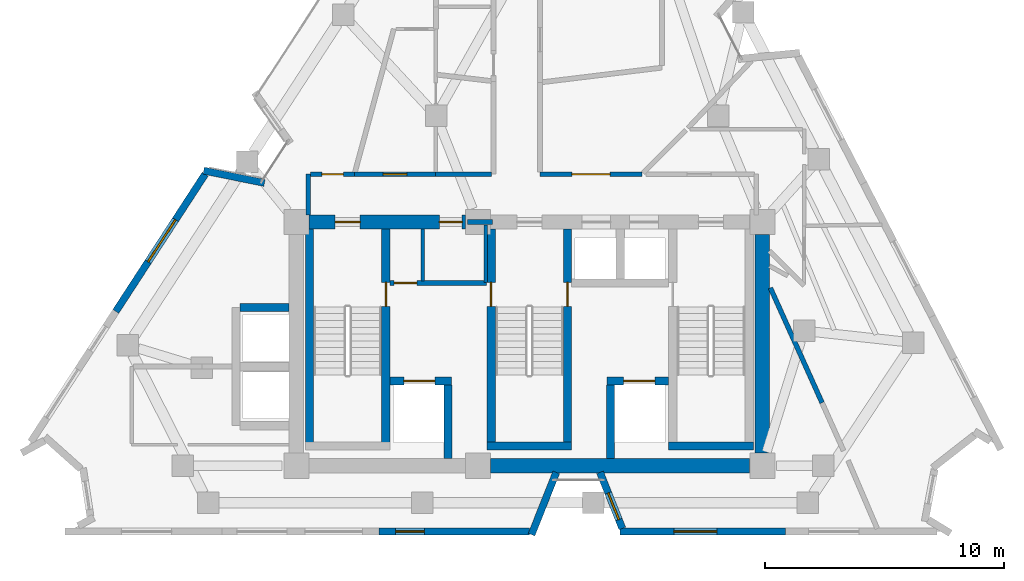
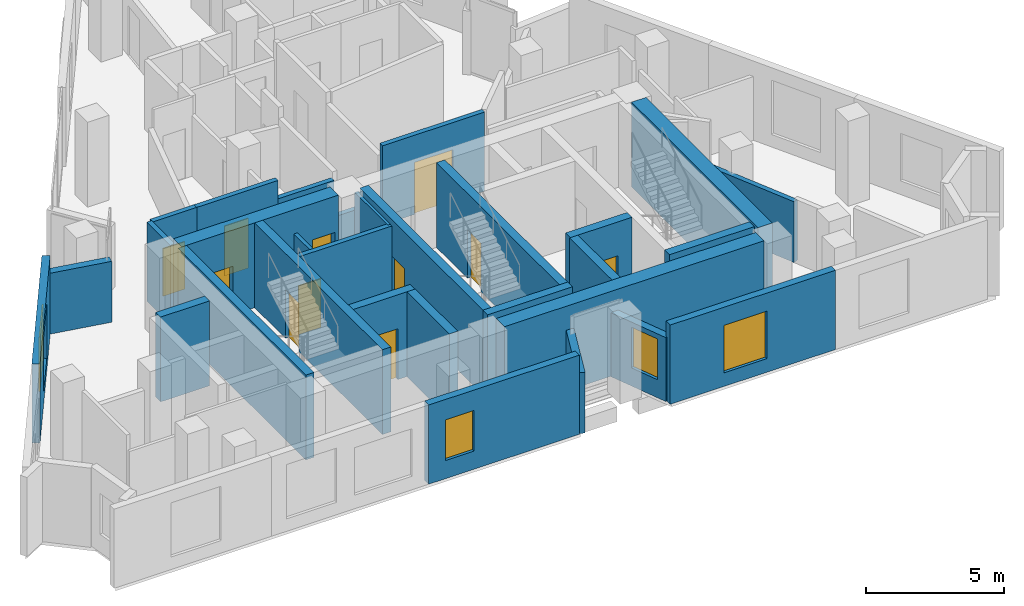
# One storey, part 5 of 9: 30 walls, 11 doors, 4 windows, 15 openings.
"""IFC4 building model written with IfcOpenShell, lengths in metres."""

from ifc_helpers import new_model, si_unit, direction, frame, frame_2d, origin, place, context, subcontext, project, spatial, rectangle, extrude, material, layer, layer_set, type_object, element, fill, save


model = new_model("IFC4")

# Units and contexts
model_context = context("Model", 3, precision=1e-05, world=origin(), true_north=direction((0.0, 1.0)))
body_context = subcontext(model_context, "Body", "Model", "MODEL_VIEW")
ifc_project = project(units=[si_unit("LENGTHUNIT", "METRE"), si_unit("AREAUNIT", "SQUARE_METRE"), si_unit("VOLUMEUNIT", "CUBIC_METRE"), si_unit("PLANEANGLEUNIT", "RADIAN"), si_unit("MASSUNIT", "GRAM", prefix="KILO")], contexts=[model_context])

# Site, building, storey
site_placement = place(None, origin())
site = spatial("IfcSite", under=ifc_project, at=site_placement, CompositionType="ELEMENT")
building_placement = place(site_placement, origin())
building = spatial("IfcBuilding", under=site, at=building_placement, Name="Almagre Mirador Tower", CompositionType="ELEMENT")
storey_placement = place(building_placement, frame((0.0, 0.0, 207.0)))
storey = spatial("IfcBuildingStorey", under=building, at=storey_placement, Name="L53", CompositionType="ELEMENT", Elevation=207.0)

# Wall
ifc_material_1 = material(Name="Precast concrete C50/60", Category="concrete")
ifc_layer_1 = layer(ifc_material_1, 0.300048828125)
ifc_layer_set_1 = layer_set([ifc_layer_1], Name="Precast concrete C50/60")
wall_type_1 = type_object("IfcWallType", Name="WAL-EXT-300", PredefinedType="SOLIDWALL", material=ifc_layer_set_1)
wall_1_placement = place(storey_placement, frame((23.67578125, 16.899658203125, 0.0), z_axis=(0.0, 0.0, 1.0), x_axis=(0.980377387813, -0.197129849249, 0.0)))
element("IfcWall", 1, at=wall_1_placement, inside=storey, type_object=wall_type_1, Name="L53 expressed almagre precast frame wall 01", PredefinedType="SOLIDWALL", context=body_context, shape_type="SweptSolid", body=[
    extrude(rectangle(XDim=2.59326171875, YDim=0.300048828125, at=frame_2d((1.296630859375, 0.0))), origin(), (0.0, 0.0, 1.0), 2.68994140625),
])

# Wall, opening, window
wall_2_placement = place(storey_placement, frame((48.02197265625, 1.800048828125, 0.0), z_axis=(0.0, 0.0, 1.0), x_axis=(-1.0, 0.0, 0.0)))
wall_2 = element("IfcWall", 2, at=wall_2_placement, inside=storey, type_object=wall_type_1, Name="L53 expressed almagre precast frame wall 21", PredefinedType="SOLIDWALL", context=body_context, shape_type="SweptSolid", body=[
    extrude(rectangle(XDim=6.91796875, YDim=0.300048828125, at=frame_2d((3.458984375, 0.0))), origin(), (0.0, 0.0, 1.0), 3.5),
])
opening_1_placement = place(wall_2_placement, frame((2.875, 0.0, 0.60009765625)))
opening_1 = element("IfcOpeningElement", 3, at=opening_1_placement, cuts=wall_2, Name="Opening WN-01", PredefinedType="OPENING", context=body_context, shape_type="SweptSolid", body=[
    extrude(rectangle(XDim=1.800048828125, YDim=2.10009765625, at=frame_2d((0.89990234375, 1.050048828125))), frame((0.0, 0.159902, 0.0), z_axis=(0.0, -1.0, 0.0), x_axis=(1.0, 0.0, 0.0)), (0.0, 0.0, 1.0), 0.320049),
])
ifc_material_2 = material(Name="Dark solar-control laminated hurricane glass", Category="glass")
window_type_1 = type_object("IfcWindowType", Name="WIN-1800X2100", PartitioningType="DOUBLE_PANEL_VERTICAL", PredefinedType="WINDOW", material=ifc_material_2)
window_1_placement = place(opening_1_placement, origin())
window_1 = element("IfcWindow", 4, at=window_1_placement, inside=storey, type_object=window_type_1, Name="L53 recessed hurricane window L53-UB-KT", OverallHeight=2.10009765625, OverallWidth=1.800048828125, PartitioningType="SINGLE_PANEL", PredefinedType="WINDOW", context=body_context, shape_type="SweptSolid", body=[
    extrude(rectangle(XDim=1.800048828125, YDim=2.10009765625, at=frame_2d((0.89990234375, 1.050048828125))), frame((0.0, 0.030029296875, 0.0), z_axis=(0.0, -1.0, 0.0), x_axis=(1.0, 0.0, 0.0)), (0.0, 0.0, 1.0), 0.06005859375),
])
fill(opening_1, window_1)

wall_3_placement = place(storey_placement, frame((41.194091796875, 1.92529296875, 0.0), z_axis=(0.0, 0.0, 1.0), x_axis=(-0.369457562636, 0.929247603931, 0.0)))
wall_3 = element("IfcWall", 5, at=wall_3_placement, inside=storey, type_object=wall_type_1, Name="L53 expressed almagre precast frame wall 22", PredefinedType="SOLIDWALL", context=body_context, shape_type="SweptSolid", body=[
    extrude(rectangle(XDim=2.52685546875, YDim=0.300048828125, at=frame_2d((1.263427734375, 0.0))), origin(), (0.0, 0.0, 1.0), 2.824951171875),
])
opening_2_placement = place(wall_3_placement, frame((0.39990234375, 0.0, 0.800048828125)))
opening_2 = element("IfcOpeningElement", 6, at=opening_2_placement, cuts=wall_3, Name="Opening WN-04", PredefinedType="OPENING", context=body_context, shape_type="SweptSolid", body=[
    extrude(rectangle(XDim=1.199951171875, YDim=1.800048828125, at=frame_2d((0.60009765625, 0.89990234375))), frame((0.0, 0.159902, 0.0), z_axis=(0.0, -1.0, 0.0), x_axis=(1.0, 0.0, 0.0)), (0.0, 0.0, 1.0), 0.320049),
])
ifc_material_3 = material(Name="Dark solar-control laminated hurricane glass", Category="glass")
window_type_2 = type_object("IfcWindowType", Name="WIN-1200X1800", PartitioningType="SINGLE_PANEL", PredefinedType="WINDOW", material=ifc_material_3)
window_2_placement = place(opening_2_placement, origin())
window_2 = element("IfcWindow", 7, at=window_2_placement, inside=storey, type_object=window_type_2, Name="L53 recessed hurricane window L53-UB-KT", OverallHeight=1.800048828125, OverallWidth=1.199951171875, PartitioningType="SINGLE_PANEL", PredefinedType="WINDOW", context=body_context, shape_type="SweptSolid", body=[
    extrude(rectangle(XDim=1.199951171875, YDim=1.800048828125, at=frame_2d((0.60009765625, 0.89990234375))), frame((0.0, 0.030029296875, 0.0), z_axis=(0.0, -1.0, 0.0), x_axis=(1.0, 0.0, 0.0)), (0.0, 0.0, 1.0), 0.06005859375),
])
fill(opening_2, window_2)

# Wall
wall_4_placement = place(storey_placement, frame((38.427490234375, 4.2734375, 0.0), z_axis=(0.0, 0.0, 1.0), x_axis=(-0.369466825356, -0.929243921132, 0.0)))
element("IfcWall", 8, at=wall_4_placement, inside=storey, type_object=wall_type_1, Name="L53 expressed almagre precast frame wall 23", PredefinedType="SOLIDWALL", context=body_context, shape_type="SweptSolid", body=[
    extrude(rectangle(XDim=2.8017578125, YDim=0.300048828125, at=frame_2d((1.40087890625, 0.0))), origin(), (0.0, 0.0, 1.0), 2.68994140625),
])

# Wall, opening, window
wall_5_placement = place(storey_placement, frame((37.30908203125, 1.800048828125, 0.0), z_axis=(0.0, 0.0, 1.0), x_axis=(-1.0, 0.0, 0.0)))
wall_5 = element("IfcWall", 9, at=wall_5_placement, inside=storey, type_object=wall_type_1, Name="L53 expressed almagre precast frame wall 24", PredefinedType="SOLIDWALL", context=body_context, shape_type="SweptSolid", body=[
    extrude(rectangle(XDim=6.2998046875, YDim=0.300048828125, at=frame_2d((3.14990234375, 0.0))), origin(), (0.0, 0.0, 1.0), 3.5),
])
opening_3_placement = place(wall_5_placement, frame((4.39990234375, 0.0, 0.800048828125)))
opening_3 = element("IfcOpeningElement", 10, at=opening_3_placement, cuts=wall_5, Name="Opening WN-04", PredefinedType="OPENING", context=body_context, shape_type="SweptSolid", body=[
    extrude(rectangle(XDim=1.199951171875, YDim=1.800048828125, at=frame_2d((0.60009765625, 0.89990234375))), frame((0.0, 0.159902, 0.0), z_axis=(0.0, -1.0, 0.0), x_axis=(1.0, 0.0, 0.0)), (0.0, 0.0, 1.0), 0.320049),
])
window_3_placement = place(opening_3_placement, origin())
window_3 = element("IfcWindow", 11, at=window_3_placement, inside=storey, type_object=window_type_2, Name="L53 recessed hurricane window L53-UA-MB", OverallHeight=1.800048828125, OverallWidth=1.199951171875, PartitioningType="SINGLE_PANEL", PredefinedType="WINDOW", context=body_context, shape_type="SweptSolid", body=[
    extrude(rectangle(XDim=1.199951171875, YDim=1.800048828125, at=frame_2d((0.60009765625, 0.89990234375))), frame((0.0, 0.030029296875, 0.0), z_axis=(0.0, -1.0, 0.0), x_axis=(1.0, 0.0, 0.0)), (0.0, 0.0, 1.0), 0.06005859375),
])
fill(opening_3, window_3)

wall_6_placement = place(storey_placement, frame((19.99755859375, 11.011962890625, 0.0), z_axis=(0.0, 0.0, 1.0), x_axis=(0.545631860444, 0.838024983439, 0.0)))
wall_6 = element("IfcWall", 12, at=wall_6_placement, inside=storey, type_object=wall_type_1, Name="L53 expressed almagre precast frame wall 32", PredefinedType="SOLIDWALL", context=body_context, shape_type="SweptSolid", body=[
    extrude(rectangle(XDim=6.8525390625, YDim=0.300048828125, at=frame_2d((3.42626953125, 0.0))), origin(), (0.0, 0.0, 1.0), 3.5),
])
opening_4_placement = place(wall_6_placement, frame((2.47509765625, 0.0, 0.550048828125)))
opening_4 = element("IfcOpeningElement", 13, at=opening_4_placement, cuts=wall_6, Name="Opening WN-05", PredefinedType="OPENING", context=body_context, shape_type="SweptSolid", body=[
    extrude(rectangle(XDim=2.10009765625, YDim=2.39990234375, at=frame_2d((1.050048828125, 1.199951171875))), frame((0.0, 0.159902, 0.0), z_axis=(0.0, -1.0, 0.0), x_axis=(1.0, 0.0, 0.0)), (0.0, 0.0, 1.0), 0.320049),
])
ifc_material_4 = material(Name="Dark solar-control laminated hurricane glass", Category="glass")
window_type_3 = type_object("IfcWindowType", Name="WIN-2100X2400", PartitioningType="DOUBLE_PANEL_VERTICAL", PredefinedType="WINDOW", material=ifc_material_4)
window_4_placement = place(opening_4_placement, origin())
window_4 = element("IfcWindow", 14, at=window_4_placement, inside=storey, type_object=window_type_3, Name="L53 recessed hurricane window L53-UD-ST", OverallHeight=2.39990234375, OverallWidth=2.10009765625, PartitioningType="SINGLE_PANEL", PredefinedType="WINDOW", context=body_context, shape_type="SweptSolid", body=[
    extrude(rectangle(XDim=2.10009765625, YDim=2.39990234375, at=frame_2d((1.050048828125, 1.199951171875))), frame((0.0, 0.030029296875, 0.0), z_axis=(0.0, -1.0, 0.0), x_axis=(1.0, 0.0, 0.0)), (0.0, 0.0, 1.0), 0.06005859375),
])
fill(opening_4, window_4)

# Wall
ifc_material_5 = material(Name="Gypsum acoustic stud partition", Category="other")
ifc_layer_2 = layer(ifc_material_5, 0.199951171875)
ifc_layer_set_2 = layer_set([ifc_layer_2], Name="Gypsum acoustic stud partition")
wall_type_2 = type_object("IfcWallType", Name="WAL-PRT-200-EI60", PredefinedType="PARTITIONING", material=ifc_layer_set_2)
wall_7_placement = place(storey_placement, frame((34.719970703125, 14.75, 0.0), z_axis=(0.0, 0.0, 1.0), x_axis=(1.0, 0.0, 0.0)))
element("IfcWall", 15, at=wall_7_placement, inside=storey, type_object=wall_type_2, Name="L53 core north closure wall", PredefinedType="PARTITIONING", context=body_context, shape_type="SweptSolid", body=[
    extrude(rectangle(XDim=1.030029296875, YDim=0.199951171875, at=frame_2d((0.51513671875, 0.0))), origin(), (0.0, 0.0, 1.0), 2.68505859375),
])

# Wall, opening, door
wall_8_placement = place(storey_placement, frame((31.47998046875, 12.199951171875, 0.0), z_axis=(0.0, 0.0, 1.0), x_axis=(1.0, 0.0, 0.0)))
wall_8 = element("IfcWall", 16, at=wall_8_placement, inside=storey, type_object=wall_type_2, Name="L53 FFL-1 north enclosure wall", PredefinedType="PARTITIONING", context=body_context, shape_type="SweptSolid", body=[
    extrude(rectangle(XDim=4.024658203125, YDim=0.199951171875, at=frame_2d((2.01220703125, 0.0))), origin(), (0.0, 0.0, 1.0), 3.5),
])
opening_5_placement = place(wall_8_placement, frame((0.1650390625, 0.0, 0.0)))
opening_5 = element("IfcOpeningElement", 17, at=opening_5_placement, cuts=wall_8, Name="Opening ID-02", PredefinedType="OPENING", context=body_context, shape_type="SweptSolid", body=[
    extrude(rectangle(XDim=0.949951171875, YDim=2.14990234375, at=frame_2d((0.47509765625, 1.074951171875))), frame((0.0, 0.110098, 0.0), z_axis=(0.0, -1.0, 0.0), x_axis=(1.0, 0.0, 0.0)), (0.0, 0.0, 1.0), 0.219951),
])
ifc_material_6 = material(Name="Fire-rated walnut timber", Category="wood")
door_type_1 = type_object("IfcDoorType", Name="DOR-FD60-950X2150", OperationType="NOTDEFINED", PredefinedType="DOOR", material=ifc_material_6)
door_1_placement = place(opening_5_placement, origin())
door_1 = element("IfcDoor", 18, at=door_1_placement, inside=storey, type_object=door_type_1, Name="DR-1641 L53 FFL-1 north smoke door", OperationType="SINGLE_SWING_LEFT", OverallHeight=2.14990234375, OverallWidth=0.949951171875, PredefinedType="DOOR", context=body_context, shape_type="SweptSolid", body=[
    extrude(rectangle(XDim=0.949951171875, YDim=2.14990234375, at=frame_2d((0.47509765625, 1.074951171875))), frame((0.0, 0.02490234375, 0.0), z_axis=(0.0, -1.0, 0.0), x_axis=(1.0, 0.0, 0.0)), (0.0, 0.0, 1.0), 0.050048828125),
])
fill(opening_5, door_1)

# Walls
wall_9_placement = place(storey_placement, frame((32.840087890625, 12.284912109375, 0.0), z_axis=(0.0, 0.0, 1.0), x_axis=(0.0, 1.0, 0.0)))
element("IfcWall", 19, at=wall_9_placement, inside=storey, type_object=wall_type_2, Name="L53 core riser west wall", PredefinedType="PARTITIONING", context=body_context, shape_type="SweptSolid", body=[
    extrude(rectangle(XDim=2.18017578125, YDim=0.14990234375, at=frame_2d((1.090087890625, 0.0))), origin(), (0.0, 0.0, 1.0), 2.68505859375),
])
wall_10_placement = place(storey_placement, frame((35.47998046875, 12.219970703125, 0.0), z_axis=(0.0, 0.0, 1.0), x_axis=(0.0, 1.0, 0.0)))
element("IfcWall", 20, at=wall_10_placement, inside=storey, type_object=wall_type_2, Name="L53 core riser east wall", PredefinedType="PARTITIONING", context=body_context, shape_type="SweptSolid", body=[
    extrude(rectangle(XDim=2.396240234375, YDim=0.14990234375, at=frame_2d((1.1982421875, 0.0))), origin(), (0.0, 0.0, 1.0), 3.5),
])
wall_11_placement = place(storey_placement, frame((28.050048828125, 16.75, 0.0), z_axis=(0.0, 0.0, 1.0), x_axis=(0.0, -1.0, 0.0)))
element("IfcWall", 21, at=wall_11_placement, inside=storey, type_object=wall_type_2, Name="L53 interior partition 001", PredefinedType="PARTITIONING", context=body_context, shape_type="SweptSolid", body=[
    extrude(rectangle(XDim=1.699951171875, YDim=0.199951171875, at=frame_2d((0.85009765625, 0.0))), origin(), (0.0, 0.0, 1.0), 3.5),
])

# Wall, opening, door
wall_12_placement = place(storey_placement, frame((29.97998046875, 16.75, 0.0), z_axis=(0.0, 0.0, 1.0), x_axis=(-1.0, 0.0, 0.0)))
wall_12 = element("IfcWall", 22, at=wall_12_placement, inside=storey, type_object=wall_type_2, Name="L53 interior partition 004", PredefinedType="PARTITIONING", context=body_context, shape_type="SweptSolid", body=[
    extrude(rectangle(XDim=1.844970703125, YDim=0.199951171875, at=frame_2d((0.92236328125, 0.0))), origin(), (0.0, 0.0, 1.0), 3.5),
])
opening_6_placement = place(wall_12_placement, frame((0.46142578125, 0.0, 0.0)))
opening_6 = element("IfcOpeningElement", 23, at=opening_6_placement, cuts=wall_12, Name="Opening ID-03", PredefinedType="OPENING", context=body_context, shape_type="SweptSolid", body=[
    extrude(rectangle(XDim=0.89990234375, YDim=2.10009765625, at=frame_2d((0.449951171875, 1.050048828125))), frame((0.0, 0.110098, 0.0), z_axis=(0.0, -1.0, 0.0), x_axis=(1.0, 0.0, 0.0)), (0.0, 0.0, 1.0), 0.219951),
])
ifc_material_7 = material(Name="Fire-rated hollow steel", Category="steel")
door_type_2 = type_object("IfcDoorType", Name="DOR-FD60-900X2100", OperationType="NOTDEFINED", PredefinedType="DOOR", material=ifc_material_7)
door_2_placement = place(opening_6_placement, origin())
door_2 = element("IfcDoor", 24, at=door_2_placement, inside=storey, type_object=door_type_2, Name="DR-1646 L53 interior door L53-RCOR to L53-RST-F", OperationType="SINGLE_SWING_LEFT", OverallHeight=2.10009765625, OverallWidth=0.89990234375, PredefinedType="DOOR", context=body_context, shape_type="SweptSolid", body=[
    extrude(rectangle(XDim=0.89990234375, YDim=2.10009765625, at=frame_2d((0.449951171875, 1.050048828125))), frame((0.0, 0.02490234375, 0.0), z_axis=(0.0, -1.0, 0.0), x_axis=(1.0, 0.0, 0.0)), (0.0, 0.0, 1.0), 0.050048828125),
])
fill(opening_6, door_2)

wall_13_placement = place(storey_placement, frame((33.3798828125, 16.75, 0.0), z_axis=(0.0, 0.0, 1.0), x_axis=(-1.0, 0.0, 0.0)))
wall_13 = element("IfcWall", 25, at=wall_13_placement, inside=storey, type_object=wall_type_2, Name="L53 interior partition 005", PredefinedType="PARTITIONING", context=body_context, shape_type="SweptSolid", body=[
    extrude(rectangle(XDim=3.39990234375, YDim=0.199951171875, at=frame_2d((1.699951171875, 0.0))), origin(), (0.0, 0.0, 1.0), 3.5),
])
opening_7_placement = place(wall_13_placement, frame((1.199951171875, 0.0, 0.0)))
opening_7 = element("IfcOpeningElement", 26, at=opening_7_placement, cuts=wall_13, Name="Opening ID-01", PredefinedType="OPENING", context=body_context, shape_type="SweptSolid", body=[
    extrude(rectangle(XDim=1.0, YDim=2.199951171875, at=frame_2d((0.5, 1.10009765625))), frame((0.0, 0.110098, 0.0), z_axis=(0.0, -1.0, 0.0), x_axis=(1.0, 0.0, 0.0)), (0.0, 0.0, 1.0), 0.219951),
])
ifc_material_8 = material(Name="Fire-rated walnut timber", Category="wood")
door_type_3 = type_object("IfcDoorType", Name="DOR-FD60-1000X2200", OperationType="NOTDEFINED", PredefinedType="DOOR", material=ifc_material_8)
door_3_placement = place(opening_7_placement, origin())
door_3 = element("IfcDoor", 27, at=door_3_placement, inside=storey, type_object=door_type_3, Name="DR-1651 L53 interior door L53-RCOR to L53-UG-ST", OperationType="SINGLE_SWING_RIGHT", OverallHeight=2.199951171875, OverallWidth=1.0, PredefinedType="DOOR", context=body_context, shape_type="SweptSolid", body=[
    extrude(rectangle(XDim=1.0, YDim=2.199951171875, at=frame_2d((0.5, 1.10009765625))), frame((0.0, 0.02490234375, 0.0), z_axis=(0.0, -1.0, 0.0), x_axis=(1.0, 0.0, 0.0)), (0.0, 0.0, 1.0), 0.050048828125),
])
fill(opening_7, door_3)

# Wall
wall_14_placement = place(storey_placement, frame((35.715087890625, 16.75, 0.0), z_axis=(0.0, 0.0, 1.0), x_axis=(-1.0, 0.0, 0.0)))
element("IfcWall", 28, at=wall_14_placement, inside=storey, type_object=wall_type_2, Name="L53 interior partition 007", PredefinedType="PARTITIONING", context=body_context, shape_type="SweptSolid", body=[
    extrude(rectangle(XDim=2.335205078125, YDim=0.199951171875, at=frame_2d((1.16748046875, 0.0))), origin(), (0.0, 0.0, 1.0), 2.68505859375),
])

# Wall, opening, door
wall_15_placement = place(storey_placement, frame((42.010009765625, 16.75, 0.0), z_axis=(0.0, 0.0, 1.0), x_axis=(-1.0, 0.0, 0.0)))
wall_15 = element("IfcWall", 29, at=wall_15_placement, inside=storey, type_object=wall_type_2, Name="L53 interior partition 013", PredefinedType="PARTITIONING", context=body_context, shape_type="SweptSolid", body=[
    extrude(rectangle(XDim=4.260009765625, YDim=0.199951171875, at=frame_2d((2.1298828125, 0.0))), origin(), (0.0, 0.0, 1.0), 3.5),
])
opening_8_placement = place(wall_15_placement, frame((1.330078125, 0.0, 0.0)))
opening_8 = element("IfcOpeningElement", 30, at=opening_8_placement, cuts=wall_15, Name="Opening ID-05", PredefinedType="OPENING", context=body_context, shape_type="SweptSolid", body=[
    extrude(rectangle(XDim=1.60009765625, YDim=2.300048828125, at=frame_2d((0.800048828125, 1.14990234375))), frame((0.0, 0.110098, 0.0), z_axis=(0.0, -1.0, 0.0), x_axis=(1.0, 0.0, 0.0)), (0.0, 0.0, 1.0), 0.219951),
])
ifc_material_9 = material(Name="Fire-rated acoustic timber", Category="wood")
door_type_4 = type_object("IfcDoorType", Name="DOR-FD60-1600X2300", OperationType="DOUBLE_DOOR_SINGLE_SWING", PredefinedType="DOOR", material=ifc_material_9)
door_4_placement = place(opening_8_placement, origin())
door_4 = element("IfcDoor", 31, at=door_4_placement, inside=storey, type_object=door_type_4, Name="DR-1647 L53 interior door L53-RCOR to L53-RST-K", OperationType="DOUBLE_DOOR_SINGLE_SWING", OverallHeight=2.300048828125, OverallWidth=1.60009765625, PredefinedType="DOOR", context=body_context, shape_type="SweptSolid", body=[
    extrude(rectangle(XDim=1.60009765625, YDim=2.300048828125, at=frame_2d((0.800048828125, 1.14990234375))), frame((0.0, 0.02490234375, 0.0), z_axis=(0.0, -1.0, 0.0), x_axis=(1.0, 0.0, 0.0)), (0.0, 0.0, 1.0), 0.050048828125),
])
fill(opening_8, door_4)

# Walls
wall_16_placement = place(storey_placement, frame((49.550048828125, 7.18994140625, 0.0), z_axis=(0.0, 0.0, 1.0), x_axis=(-0.410297221829, 0.91195185715, 0.0)))
element("IfcWall", 32, at=wall_16_placement, inside=storey, type_object=wall_type_2, Name="L53 interior partition 028", PredefinedType="PARTITIONING", context=body_context, shape_type="SweptSolid", body=[
    extrude(rectangle(XDim=5.267333984375, YDim=0.199951171875, at=frame_2d((2.6337890625, 0.0))), origin(), (0.0, 0.0, 1.0), 2.68505859375),
])
ifc_material_10 = material(Name="Concrete C60/75", Category="concrete")
ifc_layer_3 = layer(ifc_material_10, 0.35009765625)
ifc_layer_set_3 = layer_set([ifc_layer_3], Name="Concrete C60/75")
wall_type_3 = type_object("IfcWallType", Name="WAL-SHF-350", PredefinedType="SOLIDWALL", material=ifc_layer_set_3)
wall_17_placement = place(storey_placement, frame((28.10009765625, 5.199951171875, 0.0), z_axis=(0.0, 0.0, 1.0), x_axis=(0.0, 1.0, 0.0)))
element("IfcWall", 33, at=wall_17_placement, inside=storey, type_object=wall_type_3, Name="L53 shaft wall ST1-W", PredefinedType="SOLIDWALL", context=body_context, shape_type="SweptSolid", body=[
    extrude(rectangle(XDim=9.25, YDim=0.35009765625, at=frame_2d((4.625, 0.0))), origin(), (0.0, 0.0, 1.0), 3.75),
])

# Wall, opening, door
wall_18_placement = place(storey_placement, frame((31.300048828125, 5.199951171875, 0.0), z_axis=(0.0, 0.0, 1.0), x_axis=(0.0, 1.0, 0.0)))
wall_18 = element("IfcWall", 34, at=wall_18_placement, inside=storey, type_object=wall_type_3, Name="L53 shaft wall ST1-E", PredefinedType="SOLIDWALL", context=body_context, shape_type="SweptSolid", body=[
    extrude(rectangle(XDim=9.25, YDim=0.35009765625, at=frame_2d((4.625, 0.0))), origin(), (0.0, 0.0, 1.0), 3.75),
])
opening_9_placement = place(wall_18_placement, frame((6.02001953125, 0.0, 0.0)))
opening_9 = element("IfcOpeningElement", 35, at=opening_9_placement, cuts=wall_18, Name="Opening FD-01", PredefinedType="OPENING", context=body_context, shape_type="SweptSolid", body=[
    extrude(rectangle(XDim=1.0, YDim=2.14990234375, at=frame_2d((0.5, 1.074951171875))), frame((0.0, 0.185049, 0.0), z_axis=(0.0, -1.0, 0.0), x_axis=(1.0, 0.0, 0.0)), (0.0, 0.0, 1.0), 0.370098),
])
ifc_material_11 = material(Name="Fire-rated hollow steel", Category="steel")
door_type_5 = type_object("IfcDoorType", Name="DOR-FFL-1000X2150", OperationType="NOTDEFINED", PredefinedType="DOOR", material=ifc_material_11)
door_5_placement = place(opening_9_placement, origin())
door_5 = element("IfcDoor", 36, at=door_5_placement, inside=storey, type_object=door_type_5, Name="DR-1642 L53 FFL1-ST1 smokeproof door", OperationType="SINGLE_SWING_LEFT", OverallHeight=2.14990234375, OverallWidth=1.0, PredefinedType="DOOR", context=body_context, shape_type="SweptSolid", body=[
    extrude(rectangle(XDim=1.0, YDim=2.14990234375, at=frame_2d((0.5, 1.074951171875))), frame((0.0, 0.02490234375, 0.0), z_axis=(0.0, -1.0, 0.0), x_axis=(1.0, 0.0, 0.0)), (0.0, 0.0, 1.0), 0.050048828125),
])
fill(opening_9, door_5)

wall_19_placement = place(storey_placement, frame((35.699951171875, 5.199951171875, 0.0), z_axis=(0.0, 0.0, 1.0), x_axis=(0.0, 1.0, 0.0)))
wall_19 = element("IfcWall", 37, at=wall_19_placement, inside=storey, type_object=wall_type_3, Name="L53 shaft wall ST2-W", PredefinedType="SOLIDWALL", context=body_context, shape_type="SweptSolid", body=[
    extrude(rectangle(XDim=9.25, YDim=0.35009765625, at=frame_2d((4.625, 0.0))), origin(), (0.0, 0.0, 1.0), 3.75),
])
opening_10_placement = place(wall_19_placement, frame((6.02001953125, 0.0, 0.0)))
opening_10 = element("IfcOpeningElement", 38, at=opening_10_placement, cuts=wall_19, Name="Opening FD-01", PredefinedType="OPENING", context=body_context, shape_type="SweptSolid", body=[
    extrude(rectangle(XDim=1.0, YDim=2.14990234375, at=frame_2d((0.5, 1.074951171875))), frame((0.0, 0.185049, 0.0), z_axis=(0.0, -1.0, 0.0), x_axis=(1.0, 0.0, 0.0)), (0.0, 0.0, 1.0), 0.370098),
])
door_6_placement = place(opening_10_placement, origin())
door_6 = element("IfcDoor", 39, at=door_6_placement, inside=storey, type_object=door_type_5, Name="DR-1643 L53 FFL1-ST2 smokeproof door", OperationType="SINGLE_SWING_RIGHT", OverallHeight=2.14990234375, OverallWidth=1.0, PredefinedType="DOOR", context=body_context, shape_type="SweptSolid", body=[
    extrude(rectangle(XDim=1.0, YDim=2.14990234375, at=frame_2d((0.5, 1.074951171875))), frame((0.0, 0.02490234375, 0.0), z_axis=(0.0, -1.0, 0.0), x_axis=(1.0, 0.0, 0.0)), (0.0, 0.0, 1.0), 0.050048828125),
])
fill(opening_10, door_6)

wall_20_placement = place(storey_placement, frame((38.89990234375, 5.199951171875, 0.0), z_axis=(0.0, 0.0, 1.0), x_axis=(0.0, 1.0, 0.0)))
wall_20 = element("IfcWall", 40, at=wall_20_placement, inside=storey, type_object=wall_type_3, Name="L53 shaft wall ST2-E", PredefinedType="SOLIDWALL", context=body_context, shape_type="SweptSolid", body=[
    extrude(rectangle(XDim=9.25, YDim=0.35009765625, at=frame_2d((4.625, 0.0))), origin(), (0.0, 0.0, 1.0), 3.75),
])
opening_11_placement = place(wall_20_placement, frame((6.02001953125, 0.0, 0.0)))
opening_11 = element("IfcOpeningElement", 41, at=opening_11_placement, cuts=wall_20, Name="Opening FD-01", PredefinedType="OPENING", context=body_context, shape_type="SweptSolid", body=[
    extrude(rectangle(XDim=1.0, YDim=2.14990234375, at=frame_2d((0.5, 1.074951171875))), frame((0.0, 0.185049, 0.0), z_axis=(0.0, -1.0, 0.0), x_axis=(1.0, 0.0, 0.0)), (0.0, 0.0, 1.0), 0.370098),
])
door_7_placement = place(opening_11_placement, origin())
door_7 = element("IfcDoor", 42, at=door_7_placement, inside=storey, type_object=door_type_5, Name="DR-1644 L53 FFL2-ST2 smokeproof door", OperationType="SINGLE_SWING_LEFT", OverallHeight=2.14990234375, OverallWidth=1.0, PredefinedType="DOOR", context=body_context, shape_type="SweptSolid", body=[
    extrude(rectangle(XDim=1.0, YDim=2.14990234375, at=frame_2d((0.5, 1.074951171875))), frame((0.0, 0.02490234375, 0.0), z_axis=(0.0, -1.0, 0.0), x_axis=(1.0, 0.0, 0.0)), (0.0, 0.0, 1.0), 0.050048828125),
])
fill(opening_11, door_7)

# Walls
for number, where, z_axis, x_axis, name in (
    (43, (35.52490234375, 5.375, 0.0), (0.0, 0.0, 1.0), (1.0, 0.0, 0.0), "L53 shaft wall ST2-S"),
    (44, (43.125, 5.375, 0.0), (0.0, 0.0, 1.0), (1.0, 0.0, 0.0), "L53 shaft wall ST3-S"),
):
    element("IfcWall", number, at=place(storey_placement, frame(where, z_axis=z_axis, x_axis=x_axis)), inside=storey, type_object=wall_type_3, Name=name, PredefinedType="SOLIDWALL", context=body_context, shape_type="SweptSolid", body=[
        extrude(rectangle(XDim=3.550048828125, YDim=0.35009765625, at=frame_2d((1.77490234375, 0.0))), origin(), (0.0, 0.0, 1.0), 3.75),
    ])

# Wall, opening, door
wall_21_placement = place(storey_placement, frame((31.47509765625, 8.10009765625, 0.0), z_axis=(0.0, 0.0, 1.0), x_axis=(1.0, 0.0, 0.0)))
wall_21 = element("IfcWall", 45, at=wall_21_placement, inside=storey, type_object=wall_type_3, Name="L53 shaft wall FSAE1-N", PredefinedType="SOLIDWALL", context=body_context, shape_type="SweptSolid", body=[
    extrude(rectangle(XDim=2.574951171875, YDim=0.35009765625, at=frame_2d((1.28759765625, 0.0))), origin(), (0.0, 0.0, 1.0), 3.75),
])
opening_12_placement = place(wall_21_placement, frame((0.574951171875, 0.0, 0.0)))
opening_12 = element("IfcOpeningElement", 46, at=opening_12_placement, cuts=wall_21, Name="Opening LD-03", PredefinedType="OPENING", context=body_context, shape_type="SweptSolid", body=[
    extrude(rectangle(XDim=1.300048828125, YDim=2.25, at=frame_2d((0.64990234375, 1.125))), frame((0.0, 0.185049, 0.0), z_axis=(0.0, -1.0, 0.0), x_axis=(1.0, 0.0, 0.0)), (0.0, 0.0, 1.0), 0.370098),
])
ifc_material_12 = material(Name="Hollow stainless steel", Category="steel")
door_type_6 = type_object("IfcDoorType", Name="DOR-LD-1300X2250", OperationType="DOUBLE_DOOR_SLIDING", PredefinedType="DOOR", material=ifc_material_12)
door_8_placement = place(opening_12_placement, origin())
door_8 = element("IfcDoor", 47, at=door_8_placement, inside=storey, type_object=door_type_6, Name="DR-1662 L53 FSAE-1 lift landing door", OperationType="DOUBLE_DOOR_SLIDING", OverallHeight=2.25, OverallWidth=1.300048828125, PredefinedType="DOOR", context=body_context, shape_type="SweptSolid", body=[
    extrude(rectangle(XDim=1.300048828125, YDim=2.25, at=frame_2d((0.64990234375, 1.125))), frame((0.0, 0.02490234375, 0.0), z_axis=(0.0, -1.0, 0.0), x_axis=(1.0, 0.0, 0.0)), (0.0, 0.0, 1.0), 0.050048828125),
])
fill(opening_12, door_8)

wall_22_placement = place(storey_placement, frame((40.550048828125, 8.10009765625, 0.0), z_axis=(0.0, 0.0, 1.0), x_axis=(1.0, 0.0, 0.0)))
wall_22 = element("IfcWall", 48, at=wall_22_placement, inside=storey, type_object=wall_type_3, Name="L53 shaft wall FSAE2-N", PredefinedType="SOLIDWALL", context=body_context, shape_type="SweptSolid", body=[
    extrude(rectangle(XDim=2.574951171875, YDim=0.35009765625, at=frame_2d((1.28759765625, 0.0))), origin(), (0.0, 0.0, 1.0), 3.75),
])
opening_13_placement = place(wall_22_placement, frame((0.699951171875, 0.0, 0.0)))
opening_13 = element("IfcOpeningElement", 49, at=opening_13_placement, cuts=wall_22, Name="Opening LD-03", PredefinedType="OPENING", context=body_context, shape_type="SweptSolid", body=[
    extrude(rectangle(XDim=1.300048828125, YDim=2.25, at=frame_2d((0.64990234375, 1.125))), frame((0.0, 0.185049, 0.0), z_axis=(0.0, -1.0, 0.0), x_axis=(1.0, 0.0, 0.0)), (0.0, 0.0, 1.0), 0.370098),
])
door_9_placement = place(opening_13_placement, origin())
door_9 = element("IfcDoor", 50, at=door_9_placement, inside=storey, type_object=door_type_6, Name="DR-1663 L53 FSAE-2 lift landing door", OperationType="DOUBLE_DOOR_SLIDING", OverallHeight=2.25, OverallWidth=1.300048828125, PredefinedType="DOOR", context=body_context, shape_type="SweptSolid", body=[
    extrude(rectangle(XDim=1.300048828125, YDim=2.25, at=frame_2d((0.64990234375, 1.125))), frame((0.0, 0.02490234375, 0.0), z_axis=(0.0, -1.0, 0.0), x_axis=(1.0, 0.0, 0.0)), (0.0, 0.0, 1.0), 0.050048828125),
])
fill(opening_13, door_9)

# Walls
for number, where, z_axis, x_axis, name in (
    (51, (33.89990234375, 4.85009765625, 0.0), (0.0, 0.0, 1.0), (0.0, 1.0, 0.0), "L53 shaft wall FSAE1-E"),
    (52, (40.699951171875, 4.85009765625, 0.0), (0.0, 0.0, 1.0), (0.0, 1.0, 0.0), "L53 shaft wall FSAE2-W"),
):
    element("IfcWall", number, at=place(storey_placement, frame(where, z_axis=z_axis, x_axis=x_axis)), inside=storey, type_object=wall_type_3, Name=name, PredefinedType="SOLIDWALL", context=body_context, shape_type="SweptSolid", body=[
        extrude(rectangle(XDim=3.074951171875, YDim=0.35009765625, at=frame_2d((1.53759765625, 0.0))), origin(), (0.0, 0.0, 1.0), 3.75),
    ])
wall_23_placement = place(storey_placement, frame((25.199951171875, 11.175048828125, 0.0), z_axis=(0.0, 0.0, 1.0), x_axis=(1.0, 0.0, 0.0)))
element("IfcWall", 53, at=wall_23_placement, inside=storey, type_object=wall_type_3, Name="L53 shaft wall OL-N", PredefinedType="SOLIDWALL", context=body_context, shape_type="SweptSolid", body=[
    extrude(rectangle(XDim=2.050048828125, YDim=0.35009765625, at=frame_2d((1.02490234375, 0.0))), origin(), (0.0, 0.0, 1.0), 3.75),
])
ifc_material_13 = material(Name="Concrete C60/75", Category="concrete")
ifc_layer_4 = layer(ifc_material_13, 0.60009765625)
ifc_layer_set_4 = layer_set([ifc_layer_4], Name="Concrete C60/75")
wall_type_4 = type_object("IfcWallType", Name="WAL-SHR-600", PredefinedType="SHEAR", material=ifc_layer_set_4)
wall_24_placement = place(storey_placement, frame((35.675048828125, 4.550048828125, 0.0), z_axis=(0.0, 0.0, 1.0), x_axis=(1.0, 0.0, 0.0)))
element("IfcWall", 54, at=wall_24_placement, inside=storey, type_object=wall_type_4, Name="L53 core shear wall S2", PredefinedType="SHEAR", context=body_context, shape_type="SweptSolid", body=[
    extrude(rectangle(XDim=10.849853515625, YDim=0.60009765625, at=frame_2d((5.4248046875, 0.0))), origin(), (0.0, 0.0, 1.0), 3.75),
])

# Wall, openings, doors
wall_25_placement = place(storey_placement, frame((28.074951171875, 14.75, 0.0), z_axis=(0.0, 0.0, 1.0), x_axis=(1.0, 0.0, 0.0)))
wall_25 = element("IfcWall", 55, at=wall_25_placement, inside=storey, type_object=wall_type_4, Name="L53 core shear wall N1", PredefinedType="SHEAR", context=body_context, shape_type="SweptSolid", body=[
    extrude(rectangle(XDim=6.550048828125, YDim=0.60009765625, at=frame_2d((3.27490234375, 0.0))), origin(), (0.0, 0.0, 1.0), 3.75),
])
opening_14_placement = place(wall_25_placement, frame((1.10009765625, 0.0, 0.0)))
opening_14 = element("IfcOpeningElement", 56, at=opening_14_placement, cuts=wall_25, Name="Opening SD-01", PredefinedType="OPENING", context=body_context, shape_type="SweptSolid", body=[
    extrude(rectangle(XDim=1.050048828125, YDim=2.14990234375, at=frame_2d((0.52490234375, 1.074951171875))), frame((0.0, 0.310049, 0.0), z_axis=(0.0, -1.0, 0.0), x_axis=(1.0, 0.0, 0.0)), (0.0, 0.0, 1.0), 0.620098),
])
opening_15_placement = place(wall_25_placement, frame((5.4599609375, 0.0, 0.0)))
opening_15 = element("IfcOpeningElement", 57, at=opening_15_placement, cuts=wall_25, Name="Opening FD-02", PredefinedType="OPENING", context=body_context, shape_type="SweptSolid", body=[
    extrude(rectangle(XDim=0.949951171875, YDim=2.14990234375, at=frame_2d((0.47509765625, 1.074951171875))), frame((0.0, 0.310049, 0.0), z_axis=(0.0, -1.0, 0.0), x_axis=(1.0, 0.0, 0.0)), (0.0, 0.0, 1.0), 0.620098),
])
ifc_material_14 = material(Name="Fire-rated hollow steel", Category="steel")
door_type_7 = type_object("IfcDoorType", Name="DOR-FD90-950X2150", OperationType="NOTDEFINED", PredefinedType="DOOR", material=ifc_material_14)
door_10_placement = place(opening_15_placement, origin())
door_10 = element("IfcDoor", 58, at=door_10_placement, inside=storey, type_object=door_type_7, Name="DR-1640 L53 core equipment room north door", OperationType="SINGLE_SWING_LEFT", OverallHeight=2.14990234375, OverallWidth=0.949951171875, PredefinedType="DOOR", context=body_context, shape_type="SweptSolid", body=[
    extrude(rectangle(XDim=0.949951171875, YDim=2.14990234375, at=frame_2d((0.47509765625, 1.074951171875))), frame((0.0, 0.02490234375, 0.0), z_axis=(0.0, -1.0, 0.0), x_axis=(1.0, 0.0, 0.0)), (0.0, 0.0, 1.0), 0.050048828125),
])
fill(opening_15, door_10)
ifc_material_15 = material(Name="Fire-rated hollow steel", Category="steel")
door_type_8 = type_object("IfcDoorType", Name="DOR-ST-1050X2150", OperationType="NOTDEFINED", PredefinedType="DOOR", material=ifc_material_15)
door_11_placement = place(opening_14_placement, origin())
door_11 = element("IfcDoor", 59, at=door_11_placement, inside=storey, type_object=door_type_8, Name="DR-1666 L53 protected exit stair ST-1 door", OperationType="SINGLE_SWING_RIGHT", OverallHeight=2.14990234375, OverallWidth=1.050048828125, PredefinedType="DOOR", context=body_context, shape_type="SweptSolid", body=[
    extrude(rectangle(XDim=1.050048828125, YDim=2.14990234375, at=frame_2d((0.52490234375, 1.074951171875))), frame((0.0, 0.02490234375, 0.0), z_axis=(0.0, -1.0, 0.0), x_axis=(1.0, 0.0, 0.0)), (0.0, 0.0, 1.0), 0.050048828125),
])
fill(opening_14, door_11)

# Wall
wall_26_placement = place(storey_placement, frame((47.050048828125, 5.074951171875, 0.0), z_axis=(0.0, 0.0, 1.0), x_axis=(0.0, 1.0, 0.0)))
element("IfcWall", 60, at=wall_26_placement, inside=storey, type_object=wall_type_4, Name="L53 core shear wall E1", PredefinedType="SHEAR", context=body_context, shape_type="SweptSolid", body=[
    extrude(rectangle(XDim=9.150146484375, YDim=0.60009765625, at=frame_2d((4.5751953125, 0.0))), origin(), (0.0, 0.0, 1.0), 3.75),
])

save(model, "model.ifc")
